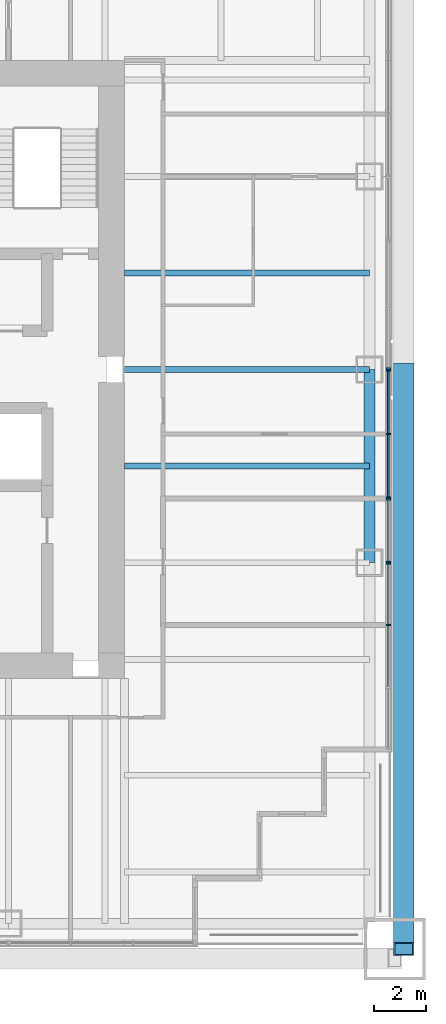
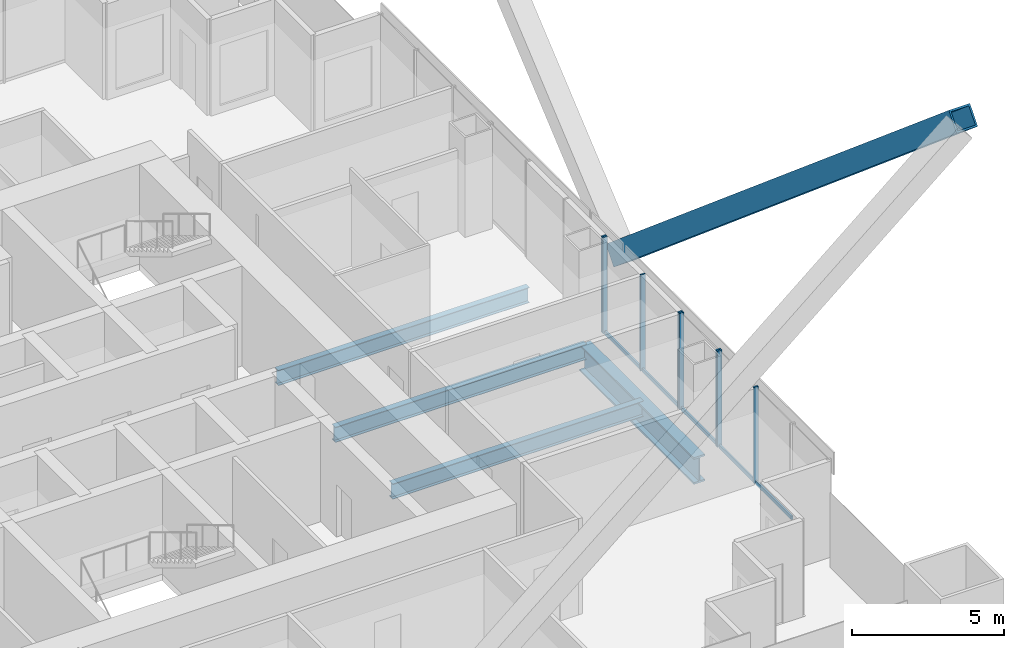
# One storey, part 7 of 19: 14 members, 4 beams, 4 elements without a shape of their own.
"""IFC4 building model written with IfcOpenShell, lengths in metres."""

from ifc_helpers import new_model, si_unit, direction, frame, origin, origin_2d, place, context, subcontext, project, spatial, rectangle, hollow_rectangle, i_section, extrude, material, material_profile, profile_set, type_object, element, aggregate, save


model = new_model("IFC4")

# Units and contexts
model_context = context("Model", 3, precision=1e-05, world=origin(), true_north=direction((0.0, 1.0)))
body_context = subcontext(model_context, "Body", "Model", "MODEL_VIEW")
ifc_project = project(units=[si_unit("LENGTHUNIT", "METRE"), si_unit("AREAUNIT", "SQUARE_METRE"), si_unit("VOLUMEUNIT", "CUBIC_METRE"), si_unit("PLANEANGLEUNIT", "RADIAN"), si_unit("MASSUNIT", "GRAM", prefix="KILO")], contexts=[model_context])

# Site, building, storey
site_placement = place(None, origin())
site = spatial("IfcSite", under=ifc_project, at=site_placement, CompositionType="ELEMENT")
building_placement = place(site_placement, origin())
building = spatial("IfcBuilding", under=site, at=building_placement, Name="Tarangal Relay Tower", CompositionType="ELEMENT")
storey_placement = place(building_placement, frame((0.0, 0.0, 193.89990234375)))
storey = spatial("IfcBuildingStorey", under=building, at=storey_placement, Name="L40", CompositionType="ELEMENT", Elevation=193.89990234375)

# Beams
ifc_material_1 = material(Name="Steel ASTM A992", Category="steel")
ifc_material_profile_1 = material_profile(ifc_material_1, i_section(OverallWidth=0.41650390625, OverallDepth=1.0693359375, WebThickness=0.0390625, FlangeThickness=0.070068359375, at=origin_2d()), Name="W40X503")
ifc_profile_set_1 = profile_set([ifc_material_profile_1], Name="Steel ASTM A992")
beam_type_1 = type_object("IfcBeamType", Name="Edge girder W40X503", PredefinedType="SPANDREL", material=ifc_profile_set_1)
beam_placement = place(storey_placement, frame((21.514892578125, 0.0, -0.6845703125), z_axis=(0.0, -1.0, 0.0), x_axis=(1.0, 0.0, 0.0)))
element("IfcBeam", 1, at=beam_placement, inside=storey, type_object=beam_type_1, Name="Edge girder EG8 E L40", PredefinedType="SPANDREL", context=body_context, shape_type="SweptSolid", body=[
    extrude(i_section(OverallWidth=0.41650390625, OverallDepth=1.0693359375, WebThickness=0.0390625, FlangeThickness=0.070068359375, at=origin_2d()), origin(), (0.0, 0.0, 1.0), 7.5),
])
ifc_material_profile_2 = material_profile(ifc_material_1, i_section(OverallWidth=0.22900390625, OverallDepth=0.612060546875, WebThickness=0.011962890625, FlangeThickness=0.01953125, at=origin_2d()), Name="W24X84")
ifc_profile_set_2 = profile_set([ifc_material_profile_2], Name="Steel ASTM A992")
beam_type_2 = type_object("IfcBeamType", Name="Floor beam W24X84", PredefinedType="BEAM", material=ifc_profile_set_2)
for number, where, z_axis, x_axis, name in (
    (2, (12.0, 3.75, -0.455810546875), (1.0, 0.0, 0.0), (0.0, 1.0, 0.0), "Floor beam RB12 E L40"),
    (3, (12.0, 0.0, -0.455810546875), (1.0, 0.0, 0.0), (0.0, 1.0, 0.0), "Floor beam RB12 E L40"),
    (4, (12.0, -3.75, -0.455810546875), (1.0, 0.0, 0.0), (0.0, 1.0, 0.0), "Floor beam RB12 E L40"),
):
    element("IfcBeam", number, at=place(storey_placement, frame(where, z_axis=z_axis, x_axis=x_axis)), inside=storey, type_object=beam_type_2, Name=name, PredefinedType="BEAM", context=body_context, shape_type="SweptSolid", body=[
        extrude(i_section(OverallWidth=0.22900390625, OverallDepth=0.612060546875, WebThickness=0.011962890625, FlangeThickness=0.01953125, at=origin_2d()), origin(), (0.0, 0.0, 1.0), 9.514892578125),
    ])

# Member
ifc_material_2 = material(Name="Steel ASTM A572 Grade 50", Category="steel")
ifc_material_profile_3 = material_profile(ifc_material_2, hollow_rectangle(XDim=0.800048828125, YDim=0.800048828125, WallThickness=0.06494140625, at=origin_2d()), Name="BOX800X800X65")
ifc_profile_set_3 = profile_set([ifc_material_profile_3], Name="Steel ASTM A572 Grade 50")
member_type_1 = type_object("IfcMemberType", Name="Mega brace BOX800X800X65", PredefinedType="BRACE", material=ifc_profile_set_3)
member_1_placement = place(storey_placement, frame((22.85009765625, 0.0, 3.0), z_axis=(0.0, -0.764029915847, 0.645180817826), x_axis=(1.0, 0.0, 0.0)))
element("IfcMember", 5, at=member_1_placement, inside=storey, type_object=member_type_1, Name="Mega brace MB3 E face module 1", PredefinedType="BRACE", context=body_context, shape_type="SweptSolid", body=[
    extrude(hollow_rectangle(XDim=0.800048828125, YDim=0.800048828125, WallThickness=0.06494140625, at=origin_2d()), origin(), (0.0, 0.0, 1.0), 29.44921875),
])

# Curtain wall, members
ifc_material_3 = material(Name="Unitised curtain wall, dark glass and black aluminium", Category="aluminium")
curtain_wall_type_1 = type_object("IfcCurtainWallType", Name="Curtain wall CW-A", PredefinedType="USERDEFINED", material=ifc_material_3)
curtain_wall_1_placement = place(storey_placement, origin())
curtain_wall_1 = element("IfcCurtainWall", 6, at=curtain_wall_1_placement, inside=storey, type_object=curtain_wall_type_1, Name="Curtain wall CW-A E facade L40", ObjectType="UNITISED CURTAIN WALL", PredefinedType="USERDEFINED")
ifc_material_4 = material(Name="Black anodised aluminium mullion", Category="aluminium")
ifc_material_profile_4 = material_profile(ifc_material_4, rectangle(XDim=0.175048828125, YDim=0.06494140625, at=origin_2d()), Name="CW-AM 65X175")
ifc_profile_set_4 = profile_set([ifc_material_profile_4], Name="Black anodised aluminium mullion")
member_type_2 = type_object("IfcMemberType", Name="Mullion CW-A 65 x 175", PredefinedType="MULLION", material=ifc_profile_set_4)
member_2_placement = place(storey_placement, frame((22.25, -5.032470703125, 0.0), z_axis=(0.0, 0.0, 1.0), x_axis=(1.0, 0.0, 0.0)))
member_2 = element("IfcMember", 7, at=member_2_placement, type_object=member_type_2, Name="CW-A mullion 1", PredefinedType="MULLION", context=body_context, shape_type="SweptSolid", body=[
    extrude(rectangle(XDim=0.175048828125, YDim=0.06494140625, at=origin_2d()), origin(), (0.0, 0.0, 1.0), 3.85009765625),
])
member_3_placement = place(storey_placement, frame((22.25, -7.467529296875, 0.0), z_axis=(0.0, 0.0, 1.0), x_axis=(1.0, 0.0, 0.0)))
member_3 = element("IfcMember", 8, at=member_3_placement, type_object=member_type_2, Name="CW-A mullion 2", PredefinedType="MULLION", context=body_context, shape_type="SweptSolid", body=[
    extrude(rectangle(XDim=0.175048828125, YDim=0.06494140625, at=origin_2d()), origin(), (0.0, 0.0, 1.0), 3.85009765625),
])

curtain_wall_2_placement = place(storey_placement, origin())
curtain_wall_2 = element("IfcCurtainWall", 9, at=curtain_wall_2_placement, inside=storey, type_object=curtain_wall_type_1, Name="Curtain wall CW-A E facade L40", ObjectType="UNITISED CURTAIN WALL", PredefinedType="USERDEFINED")
member_4_placement = place(storey_placement, frame((22.25, -7.532470703125, 0.0), z_axis=(0.0, 0.0, 1.0), x_axis=(1.0, 0.0, 0.0)))
member_4 = element("IfcMember", 10, at=member_4_placement, type_object=member_type_2, Name="CW-A mullion 1", PredefinedType="MULLION", context=body_context, shape_type="SweptSolid", body=[
    extrude(rectangle(XDim=0.175048828125, YDim=0.06494140625, at=origin_2d()), origin(), (0.0, 0.0, 1.0), 3.85009765625),
])
member_5_placement = place(storey_placement, frame((22.25, -9.916748046875, 0.0), z_axis=(0.0, 0.0, 1.0), x_axis=(1.0, 0.0, 0.0)))
member_5 = element("IfcMember", 11, at=member_5_placement, type_object=member_type_2, Name="CW-A mullion 2", PredefinedType="MULLION", context=body_context, shape_type="SweptSolid", body=[
    extrude(rectangle(XDim=0.175048828125, YDim=0.06494140625, at=origin_2d()), origin(), (0.0, 0.0, 1.0), 3.85009765625),
])

# Curtain wall, member
ifc_material_5 = material(Name="Unitised curtain wall frame, black aluminium, with metal clad infill walls", Category="aluminium")
curtain_wall_type_2 = type_object("IfcCurtainWallType", Name="Curtain wall CW-AO", PredefinedType="USERDEFINED", material=ifc_material_5)
curtain_wall_3_placement = place(storey_placement, origin())
curtain_wall_3 = element("IfcCurtainWall", 12, at=curtain_wall_3_placement, inside=storey, type_object=curtain_wall_type_2, Name="Curtain wall CW-AO E facade L40", ObjectType="UNITISED CURTAIN WALL", PredefinedType="USERDEFINED")
ifc_material_profile_5 = material_profile(ifc_material_4, rectangle(XDim=0.175048828125, YDim=0.06494140625, at=origin_2d()), Name="CW-AOM 65X175")
ifc_profile_set_5 = profile_set([ifc_material_profile_5], Name="Black anodised aluminium mullion")
member_type_3 = type_object("IfcMemberType", Name="Mullion CW-AO 65 x 175", PredefinedType="MULLION", material=ifc_profile_set_5)
member_6_placement = place(storey_placement, frame((22.25, 0.032470703125, 0.0), z_axis=(0.0, 0.0, 1.0), x_axis=(1.0, 0.0, 0.0)))
member_6 = element("IfcMember", 13, at=member_6_placement, type_object=member_type_3, Name="CW-AO mullion 3", PredefinedType="MULLION", context=body_context, shape_type="SweptSolid", body=[
    extrude(rectangle(XDim=0.175048828125, YDim=0.06494140625, at=origin_2d()), origin(), (0.0, 0.0, 1.0), 3.85009765625),
])
aggregate(curtain_wall_3, [member_6])

# Curtain wall, members
curtain_wall_4_placement = place(storey_placement, origin())
curtain_wall_4 = element("IfcCurtainWall", 14, at=curtain_wall_4_placement, inside=storey, type_object=curtain_wall_type_2, Name="Curtain wall CW-AO E facade L40", ObjectType="UNITISED CURTAIN WALL", PredefinedType="USERDEFINED")
member_7_placement = place(storey_placement, frame((22.25, -0.032470703125, 0.0), z_axis=(0.0, 0.0, 1.0), x_axis=(1.0, 0.0, 0.0)))
member_7 = element("IfcMember", 15, at=member_7_placement, type_object=member_type_3, Name="CW-AO mullion 1", PredefinedType="MULLION", context=body_context, shape_type="SweptSolid", body=[
    extrude(rectangle(XDim=0.175048828125, YDim=0.06494140625, at=origin_2d()), origin(), (0.0, 0.0, 1.0), 3.85009765625),
])
member_8_placement = place(storey_placement, frame((22.25, -2.5, 0.0), z_axis=(0.0, 0.0, 1.0), x_axis=(1.0, 0.0, 0.0)))
member_8 = element("IfcMember", 16, at=member_8_placement, type_object=member_type_3, Name="CW-AO mullion 2", PredefinedType="MULLION", context=body_context, shape_type="SweptSolid", body=[
    extrude(rectangle(XDim=0.175048828125, YDim=0.06494140625, at=origin_2d()), origin(), (0.0, 0.0, 1.0), 3.85009765625),
])
member_9_placement = place(storey_placement, frame((22.25, -4.967529296875, 0.0), z_axis=(0.0, 0.0, 1.0), x_axis=(1.0, 0.0, 0.0)))
member_9 = element("IfcMember", 17, at=member_9_placement, type_object=member_type_3, Name="CW-AO mullion 3", PredefinedType="MULLION", context=body_context, shape_type="SweptSolid", body=[
    extrude(rectangle(XDim=0.175048828125, YDim=0.06494140625, at=origin_2d()), origin(), (0.0, 0.0, 1.0), 3.85009765625),
])

# Member
ifc_material_6 = material(Name="Black anodised aluminium transom", Category="aluminium")
ifc_material_profile_6 = material_profile(ifc_material_6, rectangle(XDim=0.06494140625, YDim=0.14990234375, at=origin_2d()), Name="CW-AT 65X150")
ifc_profile_set_6 = profile_set([ifc_material_profile_6], Name="Black anodised aluminium transom")
member_type_4 = type_object("IfcMemberType", Name="Transom CW-A 65 x 150", PredefinedType="USERDEFINED", material=ifc_profile_set_6)
member_10_placement = place(storey_placement, frame((22.25, -5.06494140625, 0.03271484375), z_axis=(0.0, -1.0, 0.0), x_axis=(1.0, 0.0, 0.0)))
member_10 = element("IfcMember", 18, at=member_10_placement, type_object=member_type_4, Name="CW-A transom 1.1", ObjectType="TRANSOM", PredefinedType="USERDEFINED", context=body_context, shape_type="SweptSolid", body=[
    extrude(rectangle(XDim=0.06494140625, YDim=0.14990234375, at=origin_2d()), origin(), (0.0, 0.0, 1.0), 2.3701171875),
])

aggregate(curtain_wall_1, [member_2, member_3, member_10])

member_11_placement = place(storey_placement, frame((22.25, -7.56494140625, 0.03271484375), z_axis=(0.0, -1.0, 0.0), x_axis=(1.0, 0.0, 0.0)))
member_11 = element("IfcMember", 19, at=member_11_placement, type_object=member_type_4, Name="CW-A transom 1.1", ObjectType="TRANSOM", PredefinedType="USERDEFINED", context=body_context, shape_type="SweptSolid", body=[
    extrude(rectangle(XDim=0.06494140625, YDim=0.14990234375, at=origin_2d()), origin(), (0.0, 0.0, 1.0), 2.3193359375),
])

member_12_placement = place(storey_placement, frame((22.25, -9.94921875, 0.03271484375), z_axis=(0.0, -1.0, 0.0), x_axis=(1.0, 0.0, 0.0)))
member_12 = element("IfcMember", 20, at=member_12_placement, type_object=member_type_4, Name="CW-A transom 2.1", ObjectType="TRANSOM", PredefinedType="USERDEFINED", context=body_context, shape_type="SweptSolid", body=[
    extrude(rectangle(XDim=0.06494140625, YDim=0.14990234375, at=origin_2d()), origin(), (0.0, 0.0, 1.0), 2.3515625),
])

aggregate(curtain_wall_2, [member_4, member_5, member_11, member_12])

ifc_material_profile_7 = material_profile(ifc_material_6, rectangle(XDim=0.06494140625, YDim=0.14990234375, at=origin_2d()), Name="CW-AOT 65X150")
ifc_profile_set_7 = profile_set([ifc_material_profile_7], Name="Black anodised aluminium transom")
member_type_5 = type_object("IfcMemberType", Name="Transom CW-AO 65 x 150", PredefinedType="USERDEFINED", material=ifc_profile_set_7)
member_13_placement = place(storey_placement, frame((22.25, -0.06494140625, 0.03271484375), z_axis=(0.0, -1.0, 0.0), x_axis=(1.0, 0.0, 0.0)))
member_13 = element("IfcMember", 21, at=member_13_placement, type_object=member_type_5, Name="CW-AO transom 1.1", ObjectType="TRANSOM", PredefinedType="USERDEFINED", context=body_context, shape_type="SweptSolid", body=[
    extrude(rectangle(XDim=0.06494140625, YDim=0.14990234375, at=origin_2d()), origin(), (0.0, 0.0, 1.0), 2.402587890625),
])

member_14_placement = place(storey_placement, frame((22.25, -2.532470703125, 0.03271484375), z_axis=(0.0, -1.0, 0.0), x_axis=(1.0, 0.0, 0.0)))
member_14 = element("IfcMember", 22, at=member_14_placement, type_object=member_type_5, Name="CW-AO transom 2.1", ObjectType="TRANSOM", PredefinedType="USERDEFINED", context=body_context, shape_type="SweptSolid", body=[
    extrude(rectangle(XDim=0.06494140625, YDim=0.14990234375, at=origin_2d()), origin(), (0.0, 0.0, 1.0), 2.402587890625),
])

aggregate(curtain_wall_4, [member_7, member_8, member_9, member_13, member_14])

save(model, "model.ifc")
